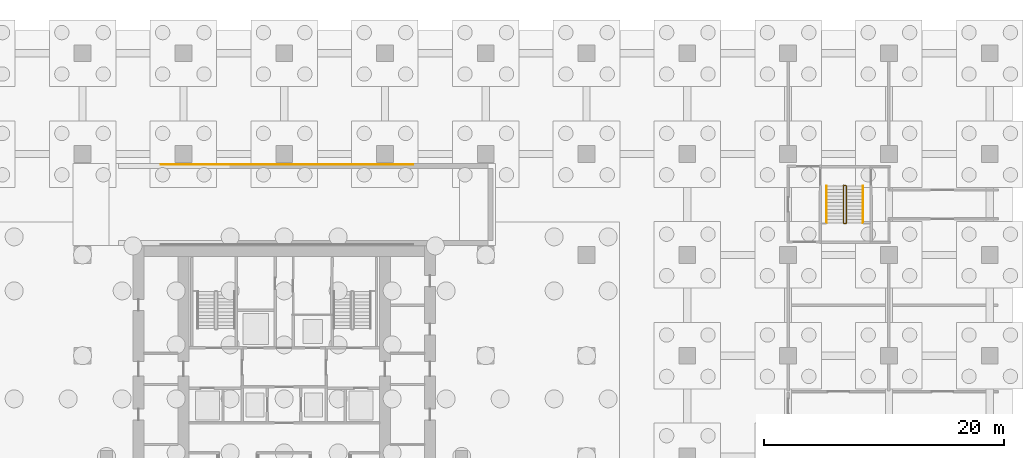
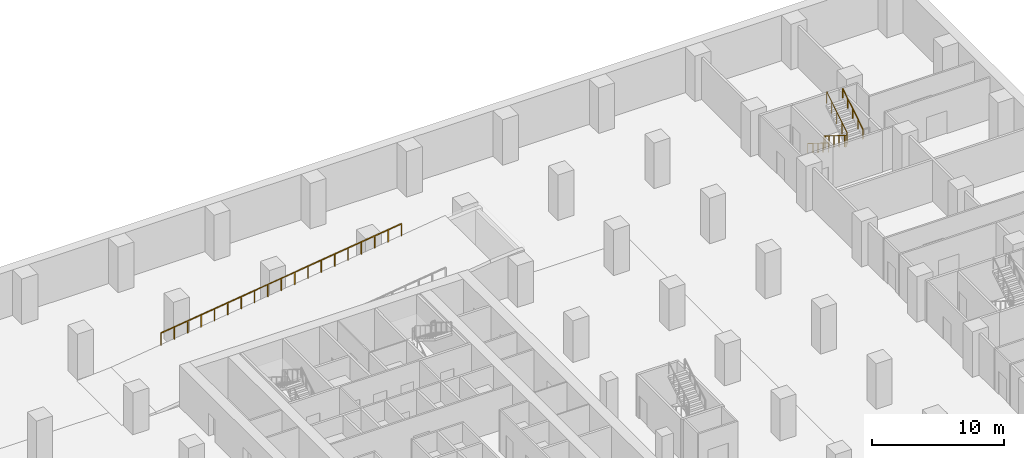
# One storey, part 21 of 22: 4 railings.
"""IFC4 building model written with IfcOpenShell, lengths in metres."""

from ifc_helpers import new_model, si_unit, direction, frame, origin, origin_2d, place, context, subcontext, project, spatial, rectangle, extrude, material, type_object, element, save


model = new_model("IFC4")

# Units and contexts
model_context = context("Model", 3, precision=1e-05, world=origin(), true_north=direction((0.0, 1.0)))
body_context = subcontext(model_context, "Body", "Model", "MODEL_VIEW")
ifc_project = project(units=[si_unit("LENGTHUNIT", "METRE"), si_unit("AREAUNIT", "SQUARE_METRE"), si_unit("VOLUMEUNIT", "CUBIC_METRE"), si_unit("PLANEANGLEUNIT", "RADIAN"), si_unit("MASSUNIT", "GRAM", prefix="KILO")], contexts=[model_context])

# Site, building, storey
site_placement = place(None, origin())
site = spatial("IfcSite", under=ifc_project, at=site_placement, CompositionType="ELEMENT")
building_placement = place(site_placement, origin())
building = spatial("IfcBuilding", under=site, at=building_placement, Name="Vermilion Ogive Tower", CompositionType="ELEMENT")
storey_placement = place(building_placement, frame((0.0, 0.0, -8.39990234375)))
storey = spatial("IfcBuildingStorey", under=building, at=storey_placement, Name="B2", CompositionType="ELEMENT", Elevation=-8.39990234375)

# Railings
ifc_material_1 = material(Name="Stainless steel", Category="steel")
railing_type_1 = type_object("IfcRailingType", Name="Ramp guard RG1", PredefinedType="GUARDRAIL", material=ifc_material_1)
railing_1_placement = place(storey_placement, frame((-10.2734375, 28.5400390625, 0.760009765625)))
element("IfcRailing", 1, at=railing_1_placement, inside=storey, type_object=railing_type_1, Name="Ramp guard RB L", PredefinedType="GUARDRAIL", context=body_context, shape_type="SweptSolid", body=[
    extrude(rectangle(XDim=0.050048828125, YDim=0.050048828125, at=origin_2d()), frame((0.0, 0.0, 1.125), z_axis=(0.991600603972, 0.0, 0.129337706038), x_axis=(0.0, 1.0, 0.0)), (0.0, 0.0, 1.0), 21.184814453125),
    extrude(rectangle(XDim=0.050048828125, YDim=0.050048828125, at=origin_2d()), origin(), (0.0, 0.0, 1.0), 1.099853515625),
    extrude(rectangle(XDim=0.050048828125, YDim=0.050048828125, at=origin_2d()), frame((1.1669921875, 0.0, 0.15234375)), (0.0, 0.0, 1.0), 1.099853515625),
    extrude(rectangle(XDim=0.050048828125, YDim=0.050048828125, at=origin_2d()), frame((2.333984375, 0.0, 0.304443359375)), (0.0, 0.0, 1.0), 1.099853515625),
    extrude(rectangle(XDim=0.050048828125, YDim=0.050048828125, at=origin_2d()), frame((3.501220703125, 0.0, 0.45654296875)), (0.0, 0.0, 1.0), 1.099853515625),
    extrude(rectangle(XDim=0.050048828125, YDim=0.050048828125, at=origin_2d()), frame((4.668212890625, 0.0, 0.60888671875)), (0.0, 0.0, 1.0), 1.099853515625),
    extrude(rectangle(XDim=0.050048828125, YDim=0.050048828125, at=origin_2d()), frame((5.835205078125, 0.0, 0.76123046875)), (0.0, 0.0, 1.0), 1.099853515625),
    extrude(rectangle(XDim=0.050048828125, YDim=0.050048828125, at=origin_2d()), frame((7.002197265625, 0.0, 0.913330078125)), (0.0, 0.0, 1.0), 1.099853515625),
    extrude(rectangle(XDim=0.050048828125, YDim=0.050048828125, at=origin_2d()), frame((8.16943359375, 0.0, 1.0654296875)), (0.0, 0.0, 1.0), 1.099853515625),
    extrude(rectangle(XDim=0.050048828125, YDim=0.050048828125, at=origin_2d()), frame((9.33642578125, 0.0, 1.2177734375)), (0.0, 0.0, 1.0), 1.099853515625),
    extrude(rectangle(XDim=0.050048828125, YDim=0.050048828125, at=origin_2d()), frame((10.50341796875, 0.0, 1.3701171875)), (0.0, 0.0, 1.0), 1.099853515625),
    extrude(rectangle(XDim=0.050048828125, YDim=0.050048828125, at=origin_2d()), frame((11.67041015625, 0.0, 1.522216796875)), (0.0, 0.0, 1.0), 1.099853515625),
    extrude(rectangle(XDim=0.050048828125, YDim=0.050048828125, at=origin_2d()), frame((12.83740234375, 0.0, 1.674560546875)), (0.0, 0.0, 1.0), 1.099853515625),
    extrude(rectangle(XDim=0.050048828125, YDim=0.050048828125, at=origin_2d()), frame((14.004638671875, 0.0, 1.82666015625)), (0.0, 0.0, 1.0), 1.099853515625),
    extrude(rectangle(XDim=0.050048828125, YDim=0.050048828125, at=origin_2d()), frame((15.171630859375, 0.0, 1.97900390625)), (0.0, 0.0, 1.0), 1.099853515625),
    extrude(rectangle(XDim=0.050048828125, YDim=0.050048828125, at=origin_2d()), frame((16.338623046875, 0.0, 2.131103515625)), (0.0, 0.0, 1.0), 1.099853515625),
    extrude(rectangle(XDim=0.050048828125, YDim=0.050048828125, at=origin_2d()), frame((17.505615234375, 0.0, 2.283203125)), (0.0, 0.0, 1.0), 1.099853515625),
    extrude(rectangle(XDim=0.050048828125, YDim=0.050048828125, at=origin_2d()), frame((18.6728515625, 0.0, 2.435546875)), (0.0, 0.0, 1.0), 1.099853515625),
    extrude(rectangle(XDim=0.050048828125, YDim=0.050048828125, at=origin_2d()), frame((19.83984375, 0.0, 2.587890625)), (0.0, 0.0, 1.0), 1.099853515625),
    extrude(rectangle(XDim=0.050048828125, YDim=0.050048828125, at=origin_2d()), frame((21.0068359375, 0.0, 2.739990234375)), (0.0, 0.0, 1.0), 1.099853515625),
])
ifc_material_2 = material(Name="Steel S355 painted", Category="steel")
railing_type_2 = type_object("IfcRailingType", Name="Stair guard 1100", PredefinedType="GUARDRAIL", material=ifc_material_2)
railing_2_placement = place(storey_placement, frame((46.800048828125, 26.800048828125, 0.0)))
element("IfcRailing", 2, at=railing_2_placement, inside=storey, type_object=railing_type_2, Name="B2 PEN stair guard 4", PredefinedType="GUARDRAIL", context=body_context, shape_type="SweptSolid", body=[
    extrude(rectangle(XDim=0.048095703125, YDim=0.048095703125, at=origin_2d()), frame((0.0, 0.0, 1.076171875), z_axis=(-1.0, 0.0, 0.0), x_axis=(0.0, -1.0, 0.0)), (0.0, 0.0, 1.0), 0.150146484375),
    extrude(rectangle(XDim=0.048095703125, YDim=0.048095703125, at=origin_2d()), frame((-0.150146484375, 0.0, 1.076171875), z_axis=(-0.264179342666, -0.265474339444, 0.927217692888), x_axis=(0.708833529934, -0.705375805398, 0.0)), (0.0, 0.0, 1.0), 0.1884765625),
    extrude(rectangle(XDim=0.048095703125, YDim=0.048095703125, at=origin_2d()), frame((-0.199951171875, -0.050048828125, 1.2509765625), z_axis=(0.0, -0.847998304005, 0.529998940003), x_axis=(1.0, 0.0, 0.0)), (0.0, 0.0, 1.0), 3.632080078125),
    extrude(rectangle(XDim=0.048095703125, YDim=0.048095703125, at=origin_2d()), frame((-0.199951171875, -3.130126953125, 3.17578125), z_axis=(0.707106781187, -0.707106781187, 0.0), x_axis=(0.707106781187, 0.707106781187, 0.0)), (0.0, 0.0, 1.0), 0.0703125),
    extrude(rectangle(XDim=0.048095703125, YDim=0.048095703125, at=origin_2d()), frame((-0.150146484375, -3.179931640625, 3.17578125), z_axis=(1.0, 0.0, 0.0), x_axis=(0.0, 1.0, 0.0)), (0.0, 0.0, 1.0), 0.150146484375),
    extrude(rectangle(XDim=0.048095703125, YDim=0.048095703125, at=origin_2d()), frame((0.0, -3.179931640625, 3.17578125), z_axis=(0.265155923931, 0.263862480399, 0.927399011991), x_axis=(-0.705375805398, 0.708833529934, 0.0)), (0.0, 0.0, 1.0), 0.188720703125),
    extrude(rectangle(XDim=0.048095703125, YDim=0.048095703125, at=origin_2d()), frame((0.050048828125, -3.130126953125, 3.35107421875), z_axis=(0.0, 0.847998304005, 0.529998940003), x_axis=(-1.0, 0.0, 0.0)), (0.0, 0.0, 1.0), 3.632080078125),
    extrude(rectangle(XDim=0.0419921875, YDim=0.0419921875, at=origin_2d()), origin(), (0.0, 0.0, 1.0), 1.052001953125),
    extrude(rectangle(XDim=0.0419921875, YDim=0.0419921875, at=origin_2d()), frame((-0.150146484375, 0.0, 0.0)), (0.0, 0.0, 1.0), 1.052001953125),
    extrude(rectangle(XDim=0.0419921875, YDim=0.0419921875, at=origin_2d()), frame((-0.199951171875, -0.050048828125, 0.1748046875)), (0.0, 0.0, 1.0), 1.052001953125),
    extrude(rectangle(XDim=0.0419921875, YDim=0.0419921875, at=origin_2d()), frame((-0.199951171875, -0.820068359375, 0.656005859375)), (0.0, 0.0, 1.0), 1.052001953125),
    extrude(rectangle(XDim=0.0419921875, YDim=0.0419921875, at=origin_2d()), frame((-0.199951171875, -1.590087890625, 1.13720703125)), (0.0, 0.0, 1.0), 1.052001953125),
    extrude(rectangle(XDim=0.0419921875, YDim=0.0419921875, at=origin_2d()), frame((-0.199951171875, -2.360107421875, 1.61865234375)), (0.0, 0.0, 1.0), 1.052001953125),
    extrude(rectangle(XDim=0.0419921875, YDim=0.0419921875, at=origin_2d()), frame((-0.199951171875, -3.130126953125, 2.099853515625)), (0.0, 0.0, 1.0), 1.052001953125),
    extrude(rectangle(XDim=0.0419921875, YDim=0.0419921875, at=origin_2d()), frame((-0.150146484375, -3.179931640625, 2.099853515625)), (0.0, 0.0, 1.0), 1.052001953125),
    extrude(rectangle(XDim=0.0419921875, YDim=0.0419921875, at=origin_2d()), frame((0.0, -3.179931640625, 2.099853515625)), (0.0, 0.0, 1.0), 1.052001953125),
    extrude(rectangle(XDim=0.0419921875, YDim=0.0419921875, at=origin_2d()), frame((0.050048828125, -3.130126953125, 2.27490234375)), (0.0, 0.0, 1.0), 1.052001953125),
    extrude(rectangle(XDim=0.0419921875, YDim=0.0419921875, at=origin_2d()), frame((0.050048828125, -2.360107421875, 2.756103515625)), (0.0, 0.0, 1.0), 1.052001953125),
    extrude(rectangle(XDim=0.0419921875, YDim=0.0419921875, at=origin_2d()), frame((0.050048828125, -1.590087890625, 3.2373046875)), (0.0, 0.0, 1.0), 1.052001953125),
    extrude(rectangle(XDim=0.0419921875, YDim=0.0419921875, at=origin_2d()), frame((0.050048828125, -0.820068359375, 3.71875)), (0.0, 0.0, 1.0), 1.052001953125),
    extrude(rectangle(XDim=0.0419921875, YDim=0.0419921875, at=origin_2d()), frame((0.050048828125, -0.050048828125, 4.199951171875)), (0.0, 0.0, 1.0), 1.052001953125),
])
ifc_material_3 = material(Name="Stainless steel", Category="steel")
railing_type_3 = type_object("IfcRailingType", Name="Stair handrail 900", PredefinedType="HANDRAIL", material=ifc_material_3)
railing_3_placement = place(storey_placement, frame((45.199951171875, 26.75, 0.1748046875)))
element("IfcRailing", 3, at=railing_3_placement, inside=storey, type_object=railing_type_3, Name="B2 PEN stair handrail 1", PredefinedType="HANDRAIL", context=body_context, shape_type="SweptSolid", body=[
    extrude(rectangle(XDim=0.048095703125, YDim=0.048095703125, at=origin_2d()), frame((0.0, 0.0, 0.8759765625), z_axis=(0.0, -0.847998304005, 0.529998940003), x_axis=(1.0, 0.0, 0.0)), (0.0, 0.0, 1.0), 3.632080078125),
    extrude(rectangle(XDim=0.0419921875, YDim=0.0419921875, at=origin_2d()), origin(), (0.0, 0.0, 1.0), 0.851806640625),
    extrude(rectangle(XDim=0.0419921875, YDim=0.0419921875, at=origin_2d()), frame((0.0, -0.77001953125, 0.481201171875)), (0.0, 0.0, 1.0), 0.851806640625),
    extrude(rectangle(XDim=0.0419921875, YDim=0.0419921875, at=origin_2d()), frame((0.0, -1.5400390625, 0.96240234375)), (0.0, 0.0, 1.0), 0.851806640625),
    extrude(rectangle(XDim=0.0419921875, YDim=0.0419921875, at=origin_2d()), frame((0.0, -2.31005859375, 1.44384765625)), (0.0, 0.0, 1.0), 0.851806640625),
    extrude(rectangle(XDim=0.0419921875, YDim=0.0419921875, at=origin_2d()), frame((0.0, -3.080078125, 1.925048828125)), (0.0, 0.0, 1.0), 0.851806640625),
])
railing_4_placement = place(storey_placement, frame((48.25, 23.669921875, 2.27490234375)))
element("IfcRailing", 4, at=railing_4_placement, inside=storey, type_object=railing_type_3, Name="B2 PEN stair handrail 2", PredefinedType="HANDRAIL", context=body_context, shape_type="SweptSolid", body=[
    extrude(rectangle(XDim=0.048095703125, YDim=0.048095703125, at=origin_2d()), frame((0.0, 0.0, 0.8759765625), z_axis=(0.0, 0.847998304005, 0.529998940003), x_axis=(-1.0, 0.0, 0.0)), (0.0, 0.0, 1.0), 3.632080078125),
    extrude(rectangle(XDim=0.0419921875, YDim=0.0419921875, at=origin_2d()), origin(), (0.0, 0.0, 1.0), 0.851806640625),
    extrude(rectangle(XDim=0.0419921875, YDim=0.0419921875, at=origin_2d()), frame((0.0, 0.77001953125, 0.481201171875)), (0.0, 0.0, 1.0), 0.851806640625),
    extrude(rectangle(XDim=0.0419921875, YDim=0.0419921875, at=origin_2d()), frame((0.0, 1.5400390625, 0.96240234375)), (0.0, 0.0, 1.0), 0.851806640625),
    extrude(rectangle(XDim=0.0419921875, YDim=0.0419921875, at=origin_2d()), frame((0.0, 2.31005859375, 1.44384765625)), (0.0, 0.0, 1.0), 0.851806640625),
    extrude(rectangle(XDim=0.0419921875, YDim=0.0419921875, at=origin_2d()), frame((0.0, 3.080078125, 1.925048828125)), (0.0, 0.0, 1.0), 0.851806640625),
])

save(model, "model.ifc")
